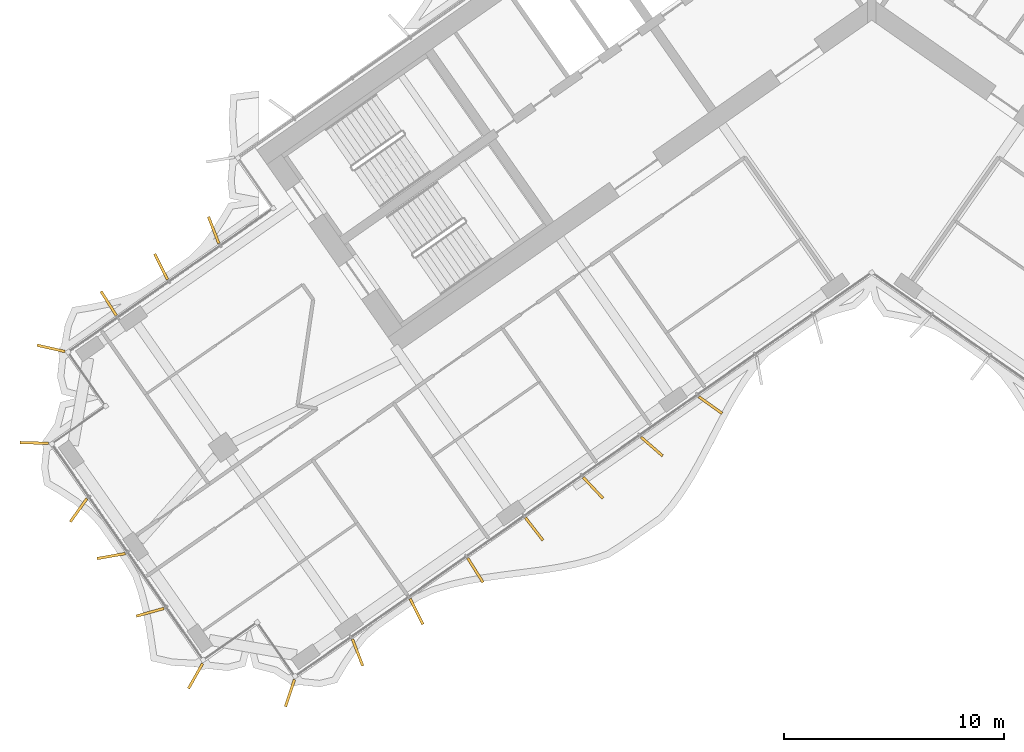
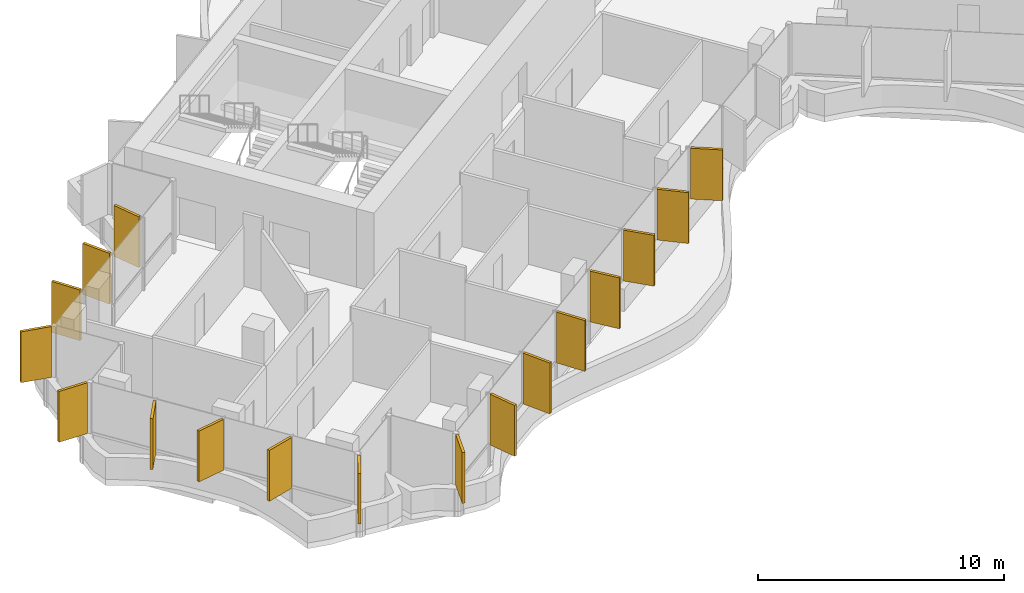
# One storey, part 19 of 23: 17 shading devices.
"""IFC4 building model written with IfcOpenShell, lengths in metres."""

from ifc_helpers import new_model, si_unit, direction, frame, origin, origin_2d, place, context, subcontext, project, spatial, rectangle, extrude, material, layer, layer_set, type_object, element, save


model = new_model("IFC4")

# Units and contexts
model_context = context("Model", 3, precision=1e-05, world=origin(), true_north=direction((0.0, 1.0)))
body_context = subcontext(model_context, "Body", "Model", "MODEL_VIEW")
ifc_project = project(units=[si_unit("LENGTHUNIT", "METRE"), si_unit("AREAUNIT", "SQUARE_METRE"), si_unit("VOLUMEUNIT", "CUBIC_METRE"), si_unit("PLANEANGLEUNIT", "RADIAN"), si_unit("MASSUNIT", "GRAM", prefix="KILO")], contexts=[model_context])

# Site, building, storey
site_placement = place(None, origin())
site = spatial("IfcSite", under=ifc_project, at=site_placement, CompositionType="ELEMENT")
building_placement = place(site_placement, origin())
building = spatial("IfcBuilding", under=site, at=building_placement, Name="Tel Ilan Convention Tower", CompositionType="ELEMENT")
storey_placement = place(building_placement, frame((0.0, 0.0, 194.39990234375)))
storey = spatial("IfcBuildingStorey", under=building, at=storey_placement, Name="L45", CompositionType="ELEMENT", Elevation=194.39990234375)

# Shading devices
ifc_material = material(Name="Aluminium, bronze anodised", Category="aluminium")
ifc_layer = layer(ifc_material, 0.1201171875)
ifc_layer_set = layer_set([ifc_layer], Name="FIN BRONZE 1300x120")
shading_device_type = type_object("IfcShadingDeviceType", Name="FIN BRONZE 1300x120", PredefinedType="USERDEFINED", material=ifc_layer_set)
for number, where, z_axis, x_axis, name in (
    (1, (-29.929443359375, -10.76953125, 1.10009765625), (0.0, 0.0, 1.0), (-0.360177724803, 0.932883704733, 0.0), "FIN"),
    (2, (-32.318359375, -12.4345703125, 1.10009765625), (0.0, 0.0, 1.0), (-0.448799180206, 0.893632640321, 0.0), "FIN"),
    (3, (-34.70458984375, -14.10498046875, 1.10009765625), (0.0, 0.0, 1.0), (-0.533204432798, 0.845986425922, 0.0), "FIN"),
    (4, (-37.327392578125, -16.147216796875, 1.10009765625), (0.0, 0.0, 1.0), (-0.975235208752, 0.221170268371, 0.0), "FIN"),
    (5, (-38.085693359375, -20.44921875, 1.10009765625), (0.0, 0.0, 1.0), (-0.999576950082, 0.029084718749, 0.0), "FIN"),
    (6, (-36.072265625, -23.508056640625, 1.10009765625), (0.0, 0.0, 1.0), (-0.581492071294, -0.813552070258, 0.0), "FIN"),
    (7, (-34.589599609375, -25.593505859375, 1.10009765625), (0.0, 0.0, 1.0), (-0.984807753012, -0.173648177667, 0.0), "FIN"),
    (8, (-32.82177734375, -28.150390625, 1.10009765625), (0.0, 0.0, 1.0), (-0.963370878614, -0.268172612768, 0.0), "FIN"),
    (9, (-30.753173828125, -31.048583984375, 1.10009765625), (0.0, 0.0, 1.0), (-0.491579408049, -0.870832754082, 0.0), "FIN"),
    (10, (-26.4580078125, -31.8251953125, 1.10009765625), (0.0, 0.0, 1.0), (-0.314544756146, -0.949242643575, 0.0), "FIN"),
    (11, (-23.384765625, -29.9794921875, 1.10009765625), (0.0, 0.0, 1.0), (0.360177724803, -0.932883704733, 0.0), "FIN"),
    (12, (-20.705322265625, -28.111328125, 1.10009765625), (0.0, 0.0, 1.0), (0.448799180206, -0.893632640321, 0.0), "FIN"),
    (13, (-18.028564453125, -26.2373046875, 1.10009765625), (0.0, 0.0, 1.0), (0.533204432798, -0.845986425922, 0.0), "FIN"),
    (14, (-15.3515625, -24.363037109375, 1.10009765625), (0.0, 0.0, 1.0), (0.612600545196, -0.790392669516, 0.0), "FIN"),
    (15, (-12.67529296875, -22.488525390625, 1.10009765625), (0.0, 0.0, 1.0), (0.686241637865, -0.727373641577, 0.0), "FIN"),
    (16, (-10.003173828125, -20.609619140625, 1.10009765625), (0.0, 0.0, 1.0), (0.753435896329, -0.657521368568, 0.0), "FIN"),
    (17, (-7.335693359375, -18.7265625, 1.10009765625), (0.0, 0.0, 1.0), (0.813552070258, -0.581492071294, 0.0), "FIN"),
):
    element("IfcShadingDevice", number, at=place(storey_placement, frame(where, z_axis=z_axis, x_axis=x_axis)), inside=storey, type_object=shading_device_type, Name=name, ObjectType="FIN", PredefinedType="USERDEFINED", context=body_context, shape_type="SweptSolid", body=[
        extrude(rectangle(XDim=1.300048828125, YDim=0.1201171875, at=origin_2d()), origin(), (0.0, 0.0, 1.0), 2.52001953125),
    ])

save(model, "model.ifc")
